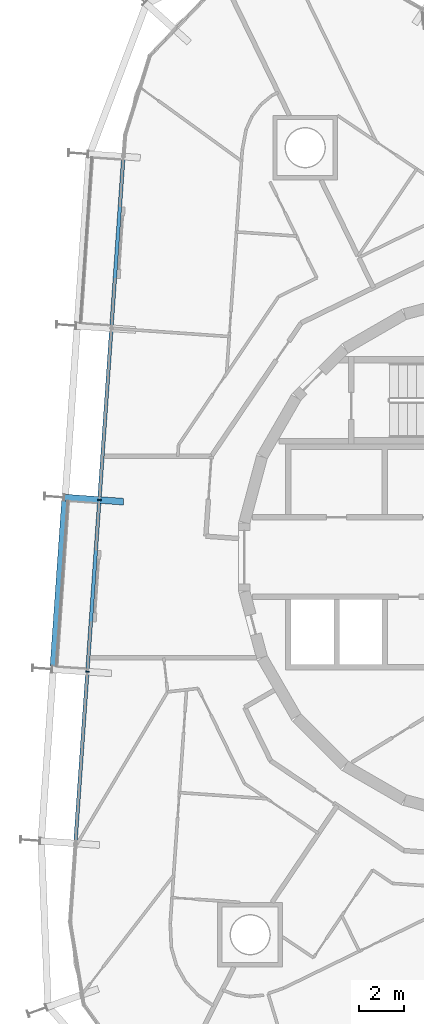
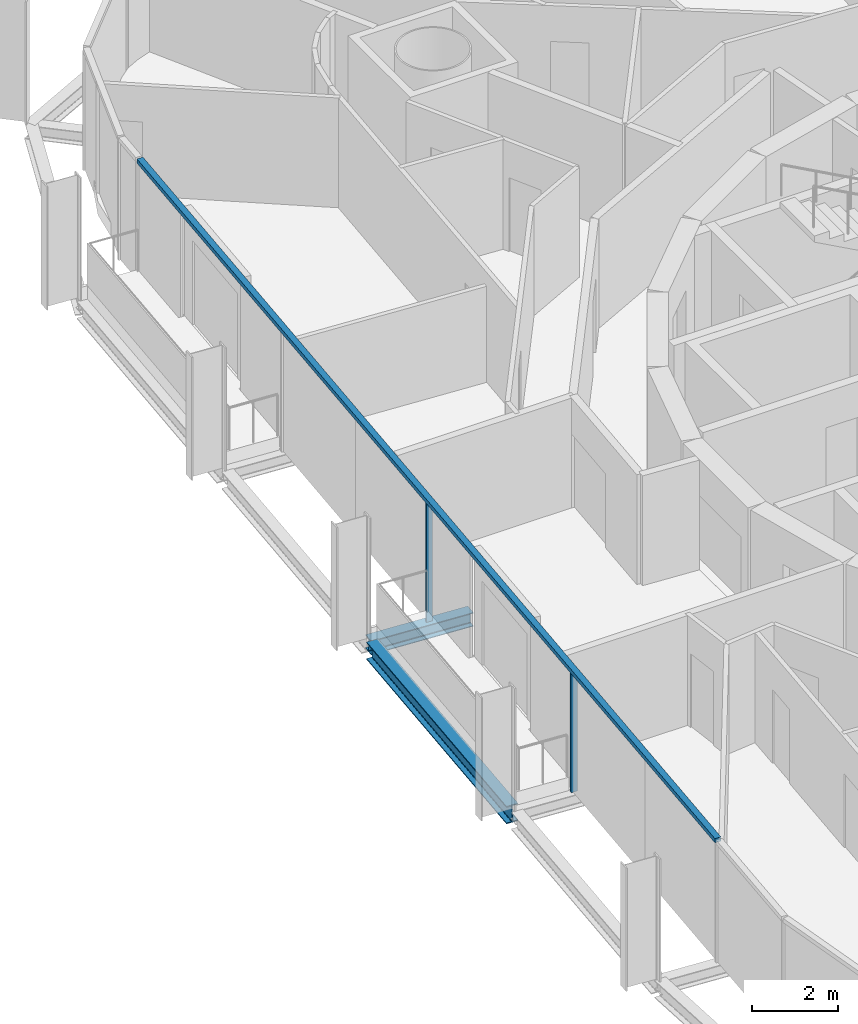
# One storey, part 4 of 18: 3 members, 2 beams, 1 element without a shape of its own.
"""IFC4 building model written with IfcOpenShell, lengths in metres."""

from ifc_helpers import new_model, si_unit, direction, frame, origin, origin_2d, place, context, subcontext, project, spatial, rectangle, i_section, extrude, material, layer, layer_set, material_profile, profile_set, type_object, element, aggregate, save


model = new_model("IFC4")

# Units and contexts
model_context = context("Model", 3, precision=1e-05, world=origin(), true_north=direction((0.0, 1.0)))
body_context = subcontext(model_context, "Body", "Model", "MODEL_VIEW")
ifc_project = project(units=[si_unit("LENGTHUNIT", "METRE"), si_unit("AREAUNIT", "SQUARE_METRE"), si_unit("VOLUMEUNIT", "CUBIC_METRE"), si_unit("PLANEANGLEUNIT", "RADIAN"), si_unit("MASSUNIT", "GRAM", prefix="KILO")], contexts=[model_context])

# Site, building, storey
site_placement = place(None, origin())
site = spatial("IfcSite", under=ifc_project, at=site_placement, CompositionType="ELEMENT")
building_placement = place(site_placement, origin())
building = spatial("IfcBuilding", under=site, at=building_placement, Name="Spindle Arch Residences", CompositionType="ELEMENT")
storey_placement = place(building_placement, frame((0.0, 0.0, 195.39990234375)))
storey = spatial("IfcBuildingStorey", under=building, at=storey_placement, Name="L49", CompositionType="ELEMENT", Elevation=195.39990234375)

# Curtain wall, members
ifc_material_1 = material(Name="Aluminium bronze unitised frame with tinted glass", Category="aluminium")
ifc_layer = layer(ifc_material_1, 0.159912109375)
ifc_layer_set = layer_set([ifc_layer], Name="CW-C typical residential unitised wall")
curtain_wall_type = type_object("IfcCurtainWallType", Name="CW-C typical residential unitised wall", PredefinedType="NOTDEFINED", material=ifc_layer_set)
curtain_wall_placement = place(storey_placement, origin())
curtain_wall = element("IfcCurtainWall", 1, at=curtain_wall_placement, inside=storey, type_object=curtain_wall_type, Name="CW-C L49 run 4", PredefinedType="NOTDEFINED")
ifc_material_2 = material(Name="Aluminium bronze anodised mullion", Category="aluminium")
ifc_material_profile_1 = material_profile(ifc_material_2, rectangle(XDim=0.159912109375, YDim=0.06005859375, at=origin_2d()), Name="MU 60x160")
ifc_profile_set_1 = profile_set([ifc_material_profile_1], Name="Aluminium bronze anodised mullion")
member_type_1 = type_object("IfcMemberType", Name="Bronze mullion 60x160", PredefinedType="MULLION", material=ifc_profile_set_1)
member_1_placement = place(storey_placement, frame((-18.126708984375, 2.552978515625, -0.3798828125), z_axis=(0.0, 0.0, 1.0), x_axis=(0.99756405026, -0.069756473744, 0.0)))
member_1 = element("IfcMember", 2, at=member_1_placement, type_object=member_type_1, Name="CW-C mullion 14", PredefinedType="MULLION", context=body_context, shape_type="SweptSolid", body=[
    extrude(rectangle(XDim=0.159912109375, YDim=0.06005859375, at=origin_2d()), origin(), (0.0, 0.0, 1.0), 3.3798828125),
])
member_2_placement = place(storey_placement, frame((-18.66357421875, -5.1220703125, -0.3798828125), z_axis=(0.0, 0.0, 1.0), x_axis=(0.99756405026, -0.069756473744, 0.0)))
member_2 = element("IfcMember", 3, at=member_2_placement, type_object=member_type_1, Name="CW-C mullion 15", PredefinedType="MULLION", context=body_context, shape_type="SweptSolid", body=[
    extrude(rectangle(XDim=0.159912109375, YDim=0.06005859375, at=origin_2d()), origin(), (0.0, 0.0, 1.0), 3.3798828125),
])
ifc_material_3 = material(Name="Aluminium bronze anodised transom", Category="aluminium")
ifc_material_profile_2 = material_profile(ifc_material_3, rectangle(XDim=0.159912109375, YDim=0.1201171875, at=origin_2d()), Name="TR 120x160")
ifc_profile_set_2 = profile_set([ifc_material_profile_2], Name="Aluminium bronze anodised transom")
member_type_2 = type_object("IfcMemberType", Name="Bronze transom 120x160", PredefinedType="USERDEFINED", material=ifc_profile_set_2)
member_3_placement = place(storey_placement, frame((-17.0556640625, 17.873046875, 3.06005859375), z_axis=(-0.069748921728, -0.997564578319, 0.0), x_axis=(0.997564578319, -0.069748921728, 0.0)))
member_3 = element("IfcMember", 4, at=member_3_placement, type_object=member_type_2, Name="CW-C transom 00", ObjectType="TRANSOM", PredefinedType="USERDEFINED", context=body_context, shape_type="SweptSolid", body=[
    extrude(rectangle(XDim=0.159912109375, YDim=0.1201171875, at=origin_2d()), origin(), (0.0, 0.0, 1.0), 30.71484375),
])
aggregate(curtain_wall, [member_3, member_1, member_2])

# Beams
ifc_material_4 = material(Name="Steel S460ML, intumescent coating R 120", Category="steel")
ifc_material_profile_3 = material_profile(ifc_material_4, i_section(OverallWidth=0.300048828125, OverallDepth=0.5, WebThickness=0.014404296875, FlangeThickness=0.028076171875, FilletRadius=0.027099609375, at=origin_2d()), Name="HEB 500")
ifc_profile_set_3 = profile_set([ifc_material_profile_3], Name="Steel S460ML, intumescent coating R 120")
beam_type_1 = type_object("IfcBeamType", Name="Exoskeleton edge beam HEB 500", PredefinedType="BEAM", material=ifc_profile_set_3)
beam_1_placement = place(storey_placement, frame((-19.662109375, 2.530029296875, -0.6298828125), z_axis=(-0.069757879566, -0.997563951954, 0.0), x_axis=(0.997563951954, -0.069757879566, 0.0)))
element("IfcBeam", 5, at=beam_1_placement, inside=storey, type_object=beam_type_1, Name="Exoskeleton edge beam 15", PredefinedType="BEAM", context=body_context, shape_type="SweptSolid", body=[
    extrude(i_section(OverallWidth=0.300048828125, OverallDepth=0.5, WebThickness=0.014404296875, FlangeThickness=0.028076171875, FilletRadius=0.027099609375, at=origin_2d()), origin(), (0.0, 0.0, 1.0), 7.43359375),
])
ifc_material_5 = material(Name="Steel S460ML, intumescent coating R 120", Category="steel")
ifc_material_profile_4 = material_profile(ifc_material_5, i_section(OverallWidth=0.300048828125, OverallDepth=0.389892578125, WebThickness=0.010986328125, FlangeThickness=0.01904296875, FilletRadius=0.027099609375, at=origin_2d()), Name="HEA 400")
ifc_profile_set_4 = profile_set([ifc_material_profile_4], Name="Steel S460ML, intumescent coating R 120")
beam_type_2 = type_object("IfcBeamType", Name="Floor outrigger HEA 400", PredefinedType="BEAM", material=ifc_profile_set_4)
beam_2_placement = place(storey_placement, frame((-19.693115234375, 2.66259765625, -0.574951171875), z_axis=(0.997565124092, -0.069741115528, 0.0), x_axis=(0.069741115528, 0.997565124092, 0.0)))
element("IfcBeam", 6, at=beam_2_placement, inside=storey, type_object=beam_type_2, Name="Floor outrigger 15", PredefinedType="BEAM", context=body_context, shape_type="SweptSolid", body=[
    extrude(i_section(OverallWidth=0.300048828125, OverallDepth=0.389892578125, WebThickness=0.010986328125, FlangeThickness=0.01904296875, FilletRadius=0.027099609375, at=origin_2d()), origin(), (0.0, 0.0, 1.0), 2.64990234375),
])

save(model, "model.ifc")
